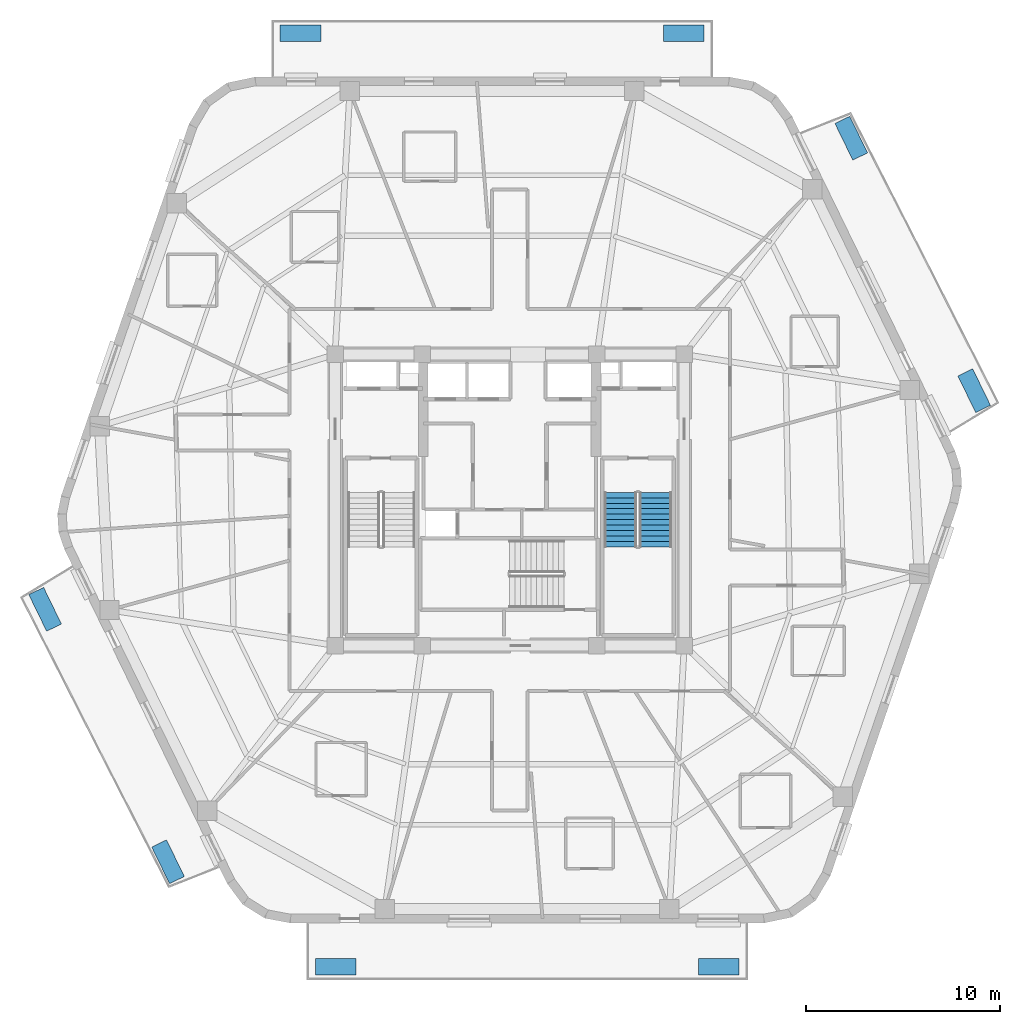
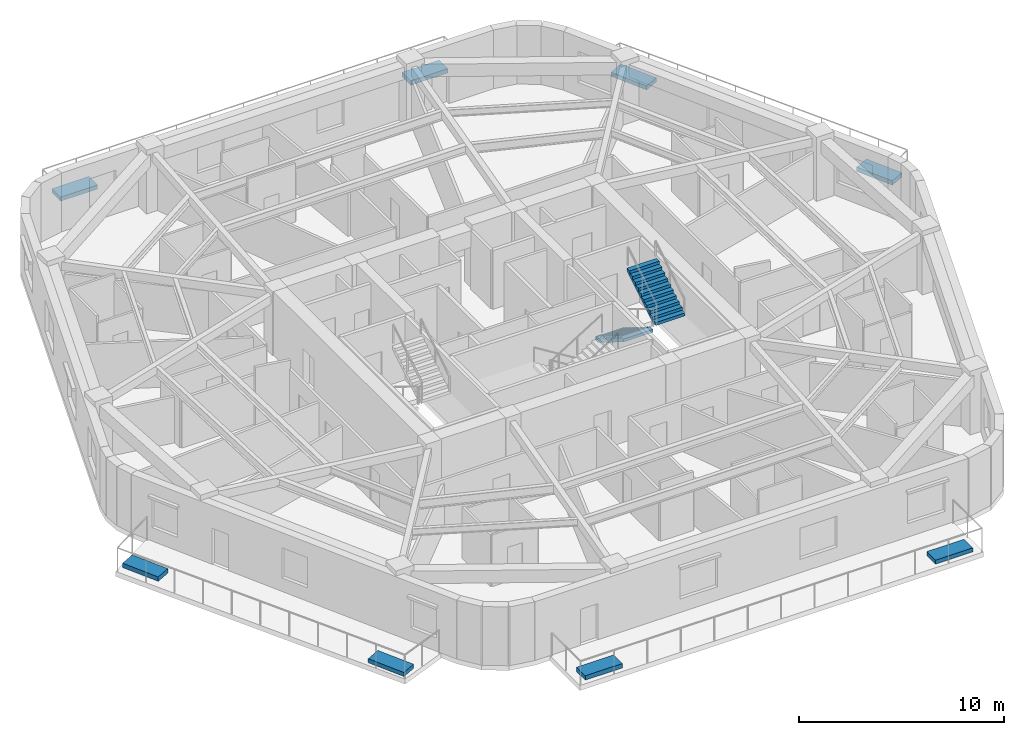
# One storey, part 7 of 10: 8 discrete accessories, 2 stair flights, 1 element without a shape of its own.
"""IFC4 building model written with IfcOpenShell, lengths in metres."""

from ifc_helpers import new_model, si_unit, direction, frame, origin, origin_2d, place, context, subcontext, project, spatial, polyline, rectangle, outline, extrude, material, type_object, element, aggregate, save


model = new_model("IFC4")

# Units and contexts
model_context = context("Model", 3, precision=1e-05, world=origin(), true_north=direction((0.0, 1.0)))
body_context = subcontext(model_context, "Body", "Model", "MODEL_VIEW")
ifc_project = project(units=[si_unit("LENGTHUNIT", "METRE"), si_unit("AREAUNIT", "SQUARE_METRE"), si_unit("VOLUMEUNIT", "CUBIC_METRE"), si_unit("PLANEANGLEUNIT", "RADIAN"), si_unit("MASSUNIT", "GRAM", prefix="KILO")], contexts=[model_context])

# Site, building, storey
site_placement = place(None, origin())
site = spatial("IfcSite", under=ifc_project, at=site_placement, CompositionType="ELEMENT")
building_placement = place(site_placement, origin())
building = spatial("IfcBuilding", under=site, at=building_placement, Name="Kilnhurst Terrace Hotel", CompositionType="ELEMENT")
storey_placement = place(building_placement, frame((0.0, 0.0, 214.10009765625)))
storey = spatial("IfcBuildingStorey", under=building, at=storey_placement, Name="L53", CompositionType="ELEMENT", Elevation=214.10009765625)

# Stair, stair flights
ifc_material_1 = material(Name="Concrete C50/60", Category="concrete")
stair_type = type_object("IfcStairType", Name="STR-CORE-1660", PredefinedType="HALF_TURN_STAIR", material=ifc_material_1)
stair_placement = place(storey_placement, origin())
stair = element("IfcStair", 1, at=stair_placement, inside=storey, type_object=stair_type, Name="L53 ST-2", PredefinedType="HALF_TURN_STAIR")
stair_flight_type = type_object("IfcStairFlightType", Name="FLT-RC-1660", PredefinedType="STRAIGHT", material=ifc_material_1)
stair_flight_1_placement = place(storey_placement, frame((5.7099609375, 0.389892578125, 0.0), z_axis=(0.0, 0.0, 1.0), x_axis=(0.0, -1.0, 0.0)))
stair_flight_1 = element("IfcStairFlight", 2, at=stair_flight_1_placement, type_object=stair_flight_type, Name="ST-2 flight 1", NumberOfRisers=11, NumberOfTreads=10, PredefinedType="STRAIGHT", RiserHeight=0.172727273, TreadLength=0.28, context=body_context, shape_type="SweptSolid", body=[
    extrude(outline(polyline([(0.0, 0.0), (0.0, 0.172607421875), (0.280029296875, 0.172607421875), (0.280029296875, 0.345458984375), (0.56005859375, 0.345458984375), (0.56005859375, 0.51806640625), (0.840087890625, 0.51806640625), (0.840087890625, 0.69091796875), (1.1201171875, 0.69091796875), (1.1201171875, 0.863525390625), (1.39990234375, 0.863525390625), (1.39990234375, 1.036376953125), (1.679931640625, 1.036376953125), (1.679931640625, 1.208984375), (1.9599609375, 1.208984375), (1.9599609375, 1.3818359375), (2.239990234375, 1.3818359375), (2.239990234375, 1.554443359375), (2.52001953125, 1.554443359375), (2.52001953125, 1.727294921875), (2.800048828125, 1.727294921875), (2.800048828125, 1.89990234375), (2.800048828125, 1.551025390625), (0.285400390625, 0.0), (0.0, 0.0)])), frame((0.0, 0.830078125, 0.0), z_axis=(0.0, -1.0, 0.0), x_axis=(1.0, 0.0, 0.0)), (0.0, 0.0, 1.0), 1.659912109375),
])
stair_flight_2_placement = place(storey_placement, frame((7.52001953125, -2.409912109375, 1.89990234375), z_axis=(0.0, 0.0, 1.0), x_axis=(0.0, 1.0, 0.0)))
stair_flight_2 = element("IfcStairFlight", 3, at=stair_flight_2_placement, type_object=stair_flight_type, Name="ST-2 flight 2", NumberOfRisers=11, NumberOfTreads=10, PredefinedType="STRAIGHT", RiserHeight=0.172727273, TreadLength=0.28, context=body_context, shape_type="SweptSolid", body=[
    extrude(outline(polyline([(0.0, 0.0), (0.0, 0.172607421875), (0.280029296875, 0.172607421875), (0.280029296875, 0.345458984375), (0.56005859375, 0.345458984375), (0.56005859375, 0.51806640625), (0.840087890625, 0.51806640625), (0.840087890625, 0.69091796875), (1.1201171875, 0.69091796875), (1.1201171875, 0.863525390625), (1.39990234375, 0.863525390625), (1.39990234375, 1.036376953125), (1.679931640625, 1.036376953125), (1.679931640625, 1.208984375), (1.9599609375, 1.208984375), (1.9599609375, 1.3818359375), (2.239990234375, 1.3818359375), (2.239990234375, 1.554443359375), (2.52001953125, 1.554443359375), (2.52001953125, 1.727294921875), (2.800048828125, 1.727294921875), (2.800048828125, 1.89990234375), (2.800048828125, 1.551025390625), (0.285400390625, 0.0), (0.0, 0.0)])), frame((0.0, 0.830078125, 0.0), z_axis=(0.0, -1.0, 0.0), x_axis=(1.0, 0.0, 0.0)), (0.0, 0.0, 1.0), 1.659912109375),
])
aggregate(stair, [stair_flight_1, stair_flight_2])

# Discrete accessories
ifc_material_2 = material(Name="Precast Concrete C40/50 Shrub Planter", Category="concrete")
discrete_accessory_type_1 = type_object("IfcDiscreteAccessoryType", Name="PLN-SHRUB-240", PredefinedType="USERDEFINED", material=ifc_material_2)
for number, where, z_axis, x_axis, name in (
    (4, (17.607177734375, 18.64794921875, 0.0), (0.0, 0.0, 1.0), (-0.437743563395, 0.899099868038, 0.0), "L53 Structural Tree Planter Box PLANTER BAL-L1A.2"),
    (5, (-10.77490234375, 24.050048828125, 0.0), (0.0, 0.0, 1.0), (-1.0, 0.0, 0.0), "L53 Structural Tree Planter Box PLANTER BAL-L1B.2"),
    (6, (-17.607177734375, -18.64794921875, 0.0), (0.0, 0.0, 1.0), (0.437743563395, -0.899099868038, 0.0), "L53 Structural Tree Planter Box PLANTER BAL-L2A.2"),
    (7, (10.77490234375, -24.050048828125, 0.0), (0.0, 0.0, 1.0), (1.0, 0.0, 0.0), "L53 Structural Tree Planter Box PLANTER BAL-L2B.2"),
):
    element("IfcDiscreteAccessory", number, at=place(storey_placement, frame(where, z_axis=z_axis, x_axis=x_axis)), inside=storey, type_object=discrete_accessory_type_1, Name=name, ObjectType="PLANTER", PredefinedType="USERDEFINED", context=body_context, shape_type="SweptSolid", body=[
        extrude(rectangle(XDim=2.10009765625, YDim=0.85009765625, at=origin_2d()), origin(), (0.0, 0.0, 1.0), 0.239990234375),
    ])
ifc_material_3 = material(Name="Precast Concrete C40/50 Tree Planter", Category="concrete")
discrete_accessory_type_2 = type_object("IfcDiscreteAccessoryType", Name="PLN-TREE-260", PredefinedType="USERDEFINED", material=ifc_material_3)
for number, where, z_axis, x_axis, name in (
    (8, (23.942626953125, 5.635009765625, 0.0), (0.0, 0.0, 1.0), (-0.437743563395, 0.899099868038, 0.0), "L53 Structural Tree Planter Box PLANTER BAL-L1A.1"),
    (9, (8.96875, 24.050048828125, 0.0), (0.0, 0.0, 1.0), (-1.0, 0.0, 0.0), "L53 Structural Tree Planter Box PLANTER BAL-L1B.1"),
    (10, (-23.942626953125, -5.635009765625, 0.0), (0.0, 0.0, 1.0), (0.437743563395, -0.899099868038, 0.0), "L53 Structural Tree Planter Box PLANTER BAL-L2A.1"),
    (11, (-8.96875, -24.050048828125, 0.0), (0.0, 0.0, 1.0), (1.0, 0.0, 0.0), "L53 Structural Tree Planter Box PLANTER BAL-L2B.1"),
):
    element("IfcDiscreteAccessory", number, at=place(storey_placement, frame(where, z_axis=z_axis, x_axis=x_axis)), inside=storey, type_object=discrete_accessory_type_2, Name=name, ObjectType="PLANTER", PredefinedType="USERDEFINED", context=body_context, shape_type="SweptSolid", body=[
        extrude(rectangle(XDim=2.10009765625, YDim=0.85009765625, at=origin_2d()), origin(), (0.0, 0.0, 1.0), 0.260009765625),
    ])

save(model, "model.ifc")
